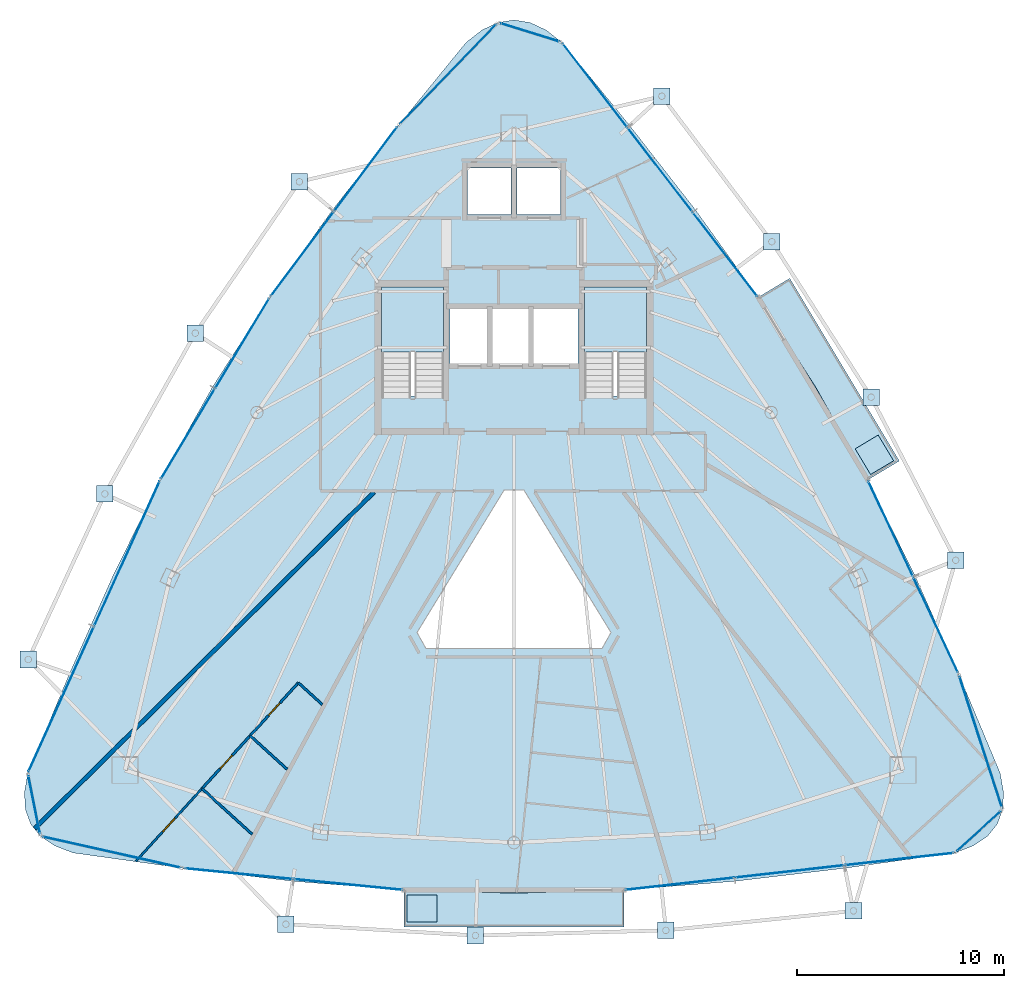
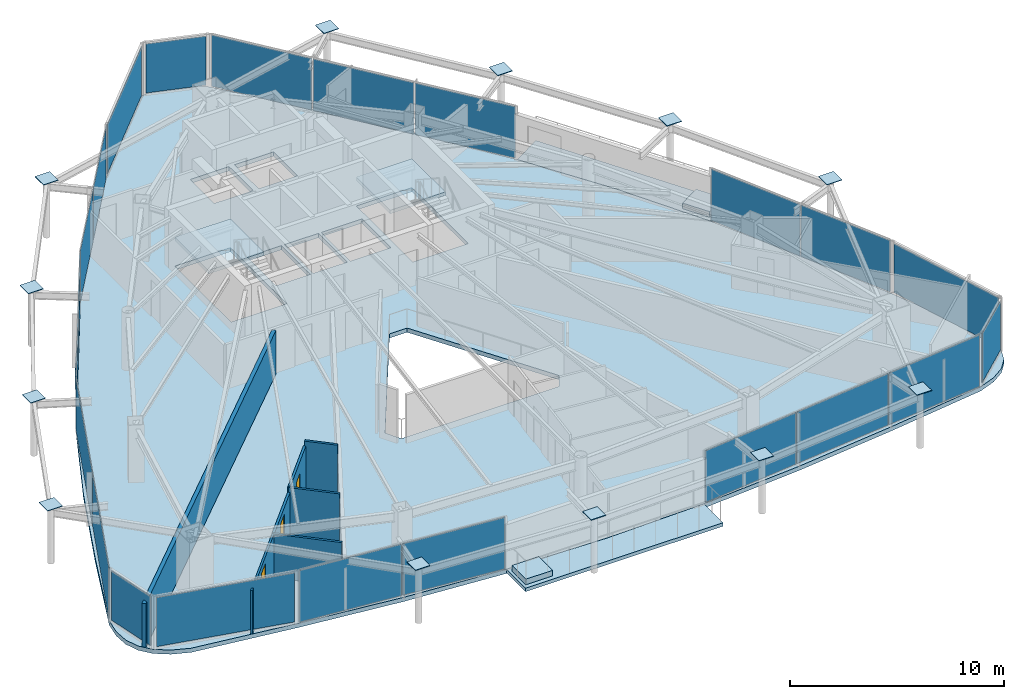
# One storey, part 28 of 34: 34 plates, 7 slabs, 7 walls, 3 doors, 3 openings, 15 elements without a shape of their own.
"""IFC4 building model written with IfcOpenShell, lengths in metres."""

from ifc_helpers import new_model, si_unit, direction, frame, frame_2d, origin, origin_2d, place, context, subcontext, project, spatial, polyline, rectangle, outline, extrude, material, layer, layer_set, type_object, element, fill, aggregate, save


model = new_model("IFC4")

# Units and contexts
model_context = context("Model", 3, precision=1e-05, world=origin(), true_north=direction((0.0, 1.0)))
body_context = subcontext(model_context, "Body", "Model", "MODEL_VIEW")
ifc_project = project(units=[si_unit("LENGTHUNIT", "METRE"), si_unit("AREAUNIT", "SQUARE_METRE"), si_unit("VOLUMEUNIT", "CUBIC_METRE"), si_unit("PLANEANGLEUNIT", "RADIAN"), si_unit("MASSUNIT", "GRAM", prefix="KILO")], contexts=[model_context])

# Site, building, storey
site_placement = place(None, origin())
site = spatial("IfcSite", under=ifc_project, at=site_placement, CompositionType="ELEMENT")
building_placement = place(site_placement, origin())
building = spatial("IfcBuilding", under=site, at=building_placement, Name="Orvanel Arch Residences", CompositionType="ELEMENT")
storey_placement = place(building_placement, frame((0.0, 0.0, 203.0)))
storey = spatial("IfcBuildingStorey", under=building, at=storey_placement, Name="L57", CompositionType="ELEMENT", Elevation=203.0)

# Plates
ifc_material_1 = material(Name="Structural steel AS/NZS 3678 Grade 350", Category="steel")
ifc_layer_1 = layer(ifc_material_1, 0.031982421875)
ifc_layer_set_1 = layer_set([ifc_layer_1], Name="Structural steel AS/NZS 3678 Grade 350")
plate_type_1 = type_object("IfcPlateType", Name="PL-CAP-32", PredefinedType="SHEET", material=ifc_layer_set_1)
for number, where, z_axis, x_axis, name in (
    (1, (22.6240234375, 38.794921875, 3.2841796875), (0.0, 0.0, 1.0), (1.0, 0.0, 0.0), "L57 hollow member end cap plate"),
    (2, (17.593017578125, 31.47509765625, 3.2841796875), (0.0, 0.0, 1.0), (1.0, 0.0, 0.0), "L57 hollow member end cap plate"),
    (3, (13.22412109375, 23.702880859375, 3.2841796875), (0.0, 0.0, 1.0), (1.0, 0.0, 0.0), "L57 hollow member end cap plate"),
    (4, (9.52001953125, 15.700927734375, 3.2841796875), (0.0, 0.0, 1.0), (1.0, 0.0, 0.0), "L57 hollow member end cap plate"),
    (5, (21.97509765625, 2.906005859375, 3.2841796875), (0.0, 0.0, 1.0), (1.0, 0.0, 0.0), "L57 hollow member end cap plate"),
    (6, (31.136962890625, 2.35791015625, 3.2841796875), (0.0, 0.0, 1.0), (1.0, 0.0, 0.0), "L57 hollow member end cap plate"),
    (7, (40.343994140625, 2.60791015625, 3.2841796875), (0.0, 0.0, 1.0), (1.0, 0.0, 0.0), "L57 hollow member end cap plate"),
    (8, (49.410888671875, 3.547119140625, 3.2841796875), (0.0, 0.0, 1.0), (1.0, 0.0, 0.0), "L57 hollow member end cap plate"),
    (9, (54.35205078125, 20.4970703125, 3.2841796875), (0.0, 0.0, 1.0), (1.0, 0.0, 0.0), "L57 hollow member end cap plate"),
    (10, (50.261962890625, 28.382080078125, 3.2841796875), (0.0, 0.0, 1.0), (1.0, 0.0, 0.0), "L57 hollow member end cap plate"),
    (11, (45.462890625, 35.89599609375, 3.2841796875), (0.0, 0.0, 1.0), (1.0, 0.0, 0.0), "L57 hollow member end cap plate"),
    (12, (40.14697265625, 42.930908203125, 3.2841796875), (0.0, 0.0, 1.0), (1.0, 0.0, 0.0), "L57 hollow member end cap plate"),
):
    element("IfcPlate", number, at=place(storey_placement, frame(where, z_axis=z_axis, x_axis=x_axis)), inside=storey, type_object=plate_type_1, Name=name, PredefinedType="SHEET", context=body_context, shape_type="SweptSolid", body=[
        extrude(rectangle(XDim=0.800048828125, YDim=0.800048828125, at=origin_2d()), origin(), (0.0, 0.0, 1.0), 0.031982421875),
    ])

# Curtain wall, plates
ifc_material_2 = material(Name="Bronze-anodised aluminium AA6063-T6", Category="aluminium")
ifc_layer_2 = layer(ifc_material_2, 0.175048828125)
ifc_layer_set_2 = layer_set([ifc_layer_2], Name="Bronze-anodised aluminium AA6063-T6")
curtain_wall_type_1 = type_object("IfcCurtainWallType", Name="CW4-HI-SYS", PredefinedType="NOTDEFINED", material=ifc_layer_set_2)
curtain_wall_1_placement = place(storey_placement, origin())
curtain_wall_1 = element("IfcCurtainWall", 13, at=curtain_wall_1_placement, inside=storey, type_object=curtain_wall_type_1, Name="L57 CW4-HI-SYS Unitised Curtain Wall", PredefinedType="NOTDEFINED")
ifc_material_3 = material(Name="Double-glazed solar-control low-E safety glass", Category="glass")
ifc_layer_3 = layer(ifc_material_3, 0.028076171875)
ifc_layer_set_3 = layer_set([ifc_layer_3], Name="Double-glazed solar-control low-E safety glass")
plate_type_2 = type_object("IfcPlateType", Name="PNL-GLZ-28", PredefinedType="CURTAIN_PANEL", material=ifc_layer_set_3)
plate_1_placement = place(storey_placement, frame((25.83154296875, 39.407958984375, 0.06005859375), z_axis=(0.0, 0.0, 1.0), x_axis=(-0.598944172287, -0.800790783216, 0.0)))
plate_1 = element("IfcPlate", 14, at=plate_1_placement, type_object=plate_type_2, Name="CW-S4 panel 1.1", PredefinedType="CURTAIN_PANEL", context=body_context, shape_type="SweptSolid", body=[
    extrude(rectangle(XDim=5.057373046875, YDim=0.028076171875, at=origin_2d()), origin(), (0.0, 0.0, 1.0), 2.93994140625),
])
plate_2_placement = place(storey_placement, frame((22.763427734375, 35.305908203125, 0.06005859375), z_axis=(0.0, 0.0, 1.0), x_axis=(-0.598944172287, -0.800790783216, 0.0)))
plate_2 = element("IfcPlate", 15, at=plate_2_placement, type_object=plate_type_2, Name="CW-S4 panel 2.1", PredefinedType="CURTAIN_PANEL", context=body_context, shape_type="SweptSolid", body=[
    extrude(rectangle(XDim=5.057373046875, YDim=0.028076171875, at=origin_2d()), origin(), (0.0, 0.0, 1.0), 2.93994140625),
])
aggregate(curtain_wall_1, [plate_1, plate_2])

curtain_wall_2_placement = place(storey_placement, origin())
curtain_wall_2 = element("IfcCurtainWall", 16, at=curtain_wall_2_placement, inside=storey, type_object=curtain_wall_type_1, Name="L57 CW4-HI-SYS Unitised Curtain Wall", PredefinedType="NOTDEFINED")
plate_3_placement = place(storey_placement, frame((19.8603515625, 30.9833984375, 0.06005859375), z_axis=(0.0, 0.0, 1.0), x_axis=(-0.514495755426, -0.857492925713, 0.0)))
plate_3 = element("IfcPlate", 17, at=plate_3_placement, type_object=plate_type_2, Name="CW-S4 panel 1.1", PredefinedType="CURTAIN_PANEL", context=body_context, shape_type="SweptSolid", body=[
    extrude(rectangle(XDim=5.03076171875, YDim=0.028076171875, at=origin_2d()), origin(), (0.0, 0.0, 1.0), 2.93994140625),
])
plate_4_placement = place(storey_placement, frame((17.238525390625, 26.61376953125, 0.06005859375), z_axis=(0.0, 0.0, 1.0), x_axis=(-0.514495755426, -0.857492925713, 0.0)))
plate_4 = element("IfcPlate", 18, at=plate_4_placement, type_object=plate_type_2, Name="CW-S4 panel 2.1", PredefinedType="CURTAIN_PANEL", context=body_context, shape_type="SweptSolid", body=[
    extrude(rectangle(XDim=5.03076171875, YDim=0.028076171875, at=origin_2d()), origin(), (0.0, 0.0, 1.0), 2.93994140625),
])
aggregate(curtain_wall_2, [plate_3, plate_4])

curtain_wall_3_placement = place(storey_placement, origin())
curtain_wall_3 = element("IfcCurtainWall", 19, at=curtain_wall_3_placement, inside=storey, type_object=curtain_wall_type_1, Name="L57 CW4-HI-SYS Unitised Curtain Wall", PredefinedType="NOTDEFINED")
plate_5_placement = place(storey_placement, frame((14.289794921875, 20.81787109375, 0.06005859375), z_axis=(0.0, 0.0, 1.0), x_axis=(-0.41176638777, -0.911289439148, 0.0)))
plate_5 = element("IfcPlate", 20, at=plate_5_placement, type_object=plate_type_2, Name="CW-S4 panel 1.1", PredefinedType="CURTAIN_PANEL", context=body_context, shape_type="SweptSolid", body=[
    extrude(rectangle(XDim=7.656982421875, YDim=0.028076171875, at=origin_2d()), origin(), (0.0, 0.0, 1.0), 2.93994140625),
])
plate_6_placement = place(storey_placement, frame((11.110107421875, 13.781005859375, 0.06005859375), z_axis=(0.0, 0.0, 1.0), x_axis=(-0.41176638777, -0.911289439148, 0.0)))
plate_6 = element("IfcPlate", 21, at=plate_6_placement, type_object=plate_type_2, Name="CW-S4 panel 2.1", PredefinedType="CURTAIN_PANEL", context=body_context, shape_type="SweptSolid", body=[
    extrude(rectangle(XDim=7.656982421875, YDim=0.028076171875, at=origin_2d()), origin(), (0.0, 0.0, 1.0), 2.93994140625),
])
aggregate(curtain_wall_3, [plate_5, plate_6])

curtain_wall_4_placement = place(storey_placement, origin())
curtain_wall_4 = element("IfcCurtainWall", 22, at=curtain_wall_4_placement, inside=storey, type_object=curtain_wall_type_1, Name="L57 CW4-HI-SYS Unitised Curtain Wall", PredefinedType="NOTDEFINED")
plate_7_placement = place(storey_placement, frame((19.704345703125, 5.343017578125, 0.06005859375), z_axis=(0.0, 0.0, 1.0), x_axis=(0.99514517761, -0.098417861591, 0.0)))
plate_7 = element("IfcPlate", 23, at=plate_7_placement, type_object=plate_type_2, Name="CW-S4 panel 1.1", PredefinedType="CURTAIN_PANEL", context=body_context, shape_type="SweptSolid", body=[
    extrude(rectangle(XDim=5.23681640625, YDim=0.028076171875, at=origin_2d()), origin(), (0.0, 0.0, 1.0), 2.93994140625),
])
plate_8_placement = place(storey_placement, frame((24.98046875, 4.821044921875, 0.06005859375), z_axis=(0.0, 0.0, 1.0), x_axis=(0.99514517761, -0.098417861591, 0.0)))
plate_8 = element("IfcPlate", 24, at=plate_8_placement, type_object=plate_type_2, Name="CW-S4 panel 2.1", PredefinedType="CURTAIN_PANEL", context=body_context, shape_type="SweptSolid", body=[
    extrude(rectangle(XDim=5.23681640625, YDim=0.028076171875, at=origin_2d()), origin(), (0.0, 0.0, 1.0), 2.93994140625),
])
aggregate(curtain_wall_4, [plate_7, plate_8])

curtain_wall_5_placement = place(storey_placement, origin())
curtain_wall_5 = element("IfcCurtainWall", 25, at=curtain_wall_5_placement, inside=storey, type_object=curtain_wall_type_1, Name="L57 CW4-HI-SYS Unitised Curtain Wall", PredefinedType="NOTDEFINED")
plate_9_placement = place(storey_placement, frame((41.022705078125, 4.85791015625, 0.06005859375), z_axis=(0.0, 0.0, 1.0), x_axis=(0.993730796907, 0.111799388547, 0.0)))
plate_9 = element("IfcPlate", 26, at=plate_9_placement, type_object=plate_type_2, Name="CW-S4 panel 1.1", PredefinedType="CURTAIN_PANEL", context=body_context, shape_type="SweptSolid", body=[
    extrude(rectangle(XDim=5.25146484375, YDim=0.028076171875, at=origin_2d()), origin(), (0.0, 0.0, 1.0), 2.93994140625),
])
plate_10_placement = place(storey_placement, frame((46.322021484375, 5.4541015625, 0.06005859375), z_axis=(0.0, 0.0, 1.0), x_axis=(0.993730796907, 0.111799388547, 0.0)))
plate_10 = element("IfcPlate", 27, at=plate_10_placement, type_object=plate_type_2, Name="CW-S4 panel 2.1", PredefinedType="CURTAIN_PANEL", context=body_context, shape_type="SweptSolid", body=[
    extrude(rectangle(XDim=5.283935546875, YDim=0.028076171875, at=origin_2d()), origin(), (0.0, 0.0, 1.0), 2.93994140625),
])
plate_11_placement = place(storey_placement, frame((51.62109375, 6.05029296875, 0.06005859375), z_axis=(0.0, 0.0, 1.0), x_axis=(0.993730796907, 0.111799388547, 0.0)))
plate_11 = element("IfcPlate", 28, at=plate_11_placement, type_object=plate_type_2, Name="CW-S4 panel 3.1", PredefinedType="CURTAIN_PANEL", context=body_context, shape_type="SweptSolid", body=[
    extrude(rectangle(XDim=5.25146484375, YDim=0.028076171875, at=origin_2d()), origin(), (0.0, 0.0, 1.0), 2.93994140625),
])
aggregate(curtain_wall_5, [plate_9, plate_10, plate_11])

curtain_wall_6_placement = place(storey_placement, origin())
curtain_wall_6 = element("IfcCurtainWall", 29, at=curtain_wall_6_placement, inside=storey, type_object=curtain_wall_type_1, Name="L57 CW4-HI-SYS Unitised Curtain Wall", PredefinedType="NOTDEFINED")
plate_12_placement = place(storey_placement, frame((53.3828125, 17.378662109375, 0.06005859375), z_axis=(0.0, 0.0, 1.0), x_axis=(-0.424493509228, 0.905430980596, 0.0)))
plate_12 = element("IfcPlate", 30, at=plate_12_placement, type_object=plate_type_2, Name="CW-S4 panel 1.1", PredefinedType="CURTAIN_PANEL", context=body_context, shape_type="SweptSolid", body=[
    extrude(rectangle(XDim=5.05810546875, YDim=0.028076171875, at=origin_2d()), origin(), (0.0, 0.0, 1.0), 2.93994140625),
])
plate_13_placement = place(storey_placement, frame((51.208251953125, 22.017333984375, 0.06005859375), z_axis=(0.0, 0.0, 1.0), x_axis=(-0.424493509228, 0.905430980596, 0.0)))
plate_13 = element("IfcPlate", 31, at=plate_13_placement, type_object=plate_type_2, Name="CW-S4 panel 2.1", PredefinedType="CURTAIN_PANEL", context=body_context, shape_type="SweptSolid", body=[
    extrude(rectangle(XDim=5.05810546875, YDim=0.028076171875, at=origin_2d()), origin(), (0.0, 0.0, 1.0), 2.93994140625),
])
aggregate(curtain_wall_6, [plate_12, plate_13])

curtain_wall_7_placement = place(storey_placement, origin())
curtain_wall_7 = element("IfcCurtainWall", 32, at=curtain_wall_7_placement, inside=storey, type_object=curtain_wall_type_1, Name="L57 CW4-HI-SYS Unitised Curtain Wall", PredefinedType="NOTDEFINED")
plate_14_placement = place(storey_placement, frame((43.203125, 35.289794921875, 0.06005859375), z_axis=(0.0, 0.0, 1.0), x_axis=(-0.610134485069, 0.792297867049, 0.0)))
plate_14 = element("IfcPlate", 33, at=plate_14_placement, type_object=plate_type_2, Name="CW-S4 panel 1.1", PredefinedType="CURTAIN_PANEL", context=body_context, shape_type="SweptSolid", body=[
    extrude(rectangle(XDim=5.07177734375, YDim=0.028076171875, at=origin_2d()), origin(), (0.0, 0.0, 1.0), 2.93994140625),
])
plate_15_placement = place(storey_placement, frame((40.05908203125, 39.37255859375, 0.06005859375), z_axis=(0.0, 0.0, 1.0), x_axis=(-0.610134485069, 0.792297867049, 0.0)))
plate_15 = element("IfcPlate", 34, at=plate_15_placement, type_object=plate_type_2, Name="CW-S4 panel 2.1", PredefinedType="CURTAIN_PANEL", context=body_context, shape_type="SweptSolid", body=[
    extrude(rectangle(XDim=5.104248046875, YDim=0.028076171875, at=origin_2d()), origin(), (0.0, 0.0, 1.0), 2.93994140625),
])
plate_16_placement = place(storey_placement, frame((36.914794921875, 43.455322265625, 0.06005859375), z_axis=(0.0, 0.0, 1.0), x_axis=(-0.610134485069, 0.792297867049, 0.0)))
plate_16 = element("IfcPlate", 35, at=plate_16_placement, type_object=plate_type_2, Name="CW-S4 panel 3.1", PredefinedType="CURTAIN_PANEL", context=body_context, shape_type="SweptSolid", body=[
    extrude(rectangle(XDim=5.07177734375, YDim=0.028076171875, at=origin_2d()), origin(), (0.0, 0.0, 1.0), 2.93994140625),
])
aggregate(curtain_wall_7, [plate_14, plate_15, plate_16])

# Curtain wall, plate
ifc_layer_4 = layer(ifc_material_2, 0.18994140625)
ifc_layer_set_4 = layer_set([ifc_layer_4], Name="Bronze-anodised aluminium AA6063-T6")
curtain_wall_type_2 = type_object("IfcCurtainWallType", Name="CW5-CRN-SYS", PredefinedType="NOTDEFINED", material=ifc_layer_set_4)
curtain_wall_8_placement = place(storey_placement, origin())
curtain_wall_8 = element("IfcCurtainWall", 36, at=curtain_wall_8_placement, inside=storey, type_object=curtain_wall_type_2, Name="L57 CW5-CRN-SYS Unitised Curtain Wall", PredefinedType="NOTDEFINED")
ifc_layer_5 = layer(ifc_material_3, 0.031982421875)
ifc_layer_set_5 = layer_set([ifc_layer_5], Name="Double-glazed solar-control low-E safety glass")
plate_type_3 = type_object("IfcPlateType", Name="PNL-GLZ-32", PredefinedType="CURTAIN_PANEL", material=ifc_layer_set_5)
plate_17_placement = place(storey_placement, frame((33.77197265625, 46.012451171875, 0.1298828125), z_axis=(0.0, 0.0, 1.0), x_axis=(-0.954846908843, 0.297098267705, 0.0)))
plate_17 = element("IfcPlate", 37, at=plate_17_placement, type_object=plate_type_3, Name="CW-S5 panel 1.1", PredefinedType="CURTAIN_PANEL", context=body_context, shape_type="SweptSolid", body=[
    extrude(rectangle(XDim=2.894287109375, YDim=0.031982421875, at=origin_2d()), origin(), (0.0, 0.0, 1.0), 2.800048828125),
])
aggregate(curtain_wall_8, [plate_17])

curtain_wall_9_placement = place(storey_placement, origin())
curtain_wall_9 = element("IfcCurtainWall", 38, at=curtain_wall_9_placement, inside=storey, type_object=curtain_wall_type_2, Name="L57 CW5-CRN-SYS Unitised Curtain Wall", PredefinedType="NOTDEFINED")
plate_18_placement = place(storey_placement, frame((29.8125, 43.9970703125, 0.1298828125), z_axis=(0.0, 0.0, 1.0), x_axis=(-0.695356310733, -0.718665152295, 0.0)))
plate_18 = element("IfcPlate", 39, at=plate_18_placement, type_object=plate_type_3, Name="CW-S5 panel 1.1", PredefinedType="CURTAIN_PANEL", context=body_context, shape_type="SweptSolid", body=[
    extrude(rectangle(XDim=6.607177734375, YDim=0.031982421875, at=origin_2d()), origin(), (0.0, 0.0, 1.0), 2.800048828125),
])
aggregate(curtain_wall_9, [plate_18])

curtain_wall_10_placement = place(storey_placement, origin())
curtain_wall_10 = element("IfcCurtainWall", 40, at=curtain_wall_10_placement, inside=storey, type_object=curtain_wall_type_2, Name="L57 CW5-CRN-SYS Unitised Curtain Wall", PredefinedType="NOTDEFINED")
plate_19_placement = place(storey_placement, frame((9.803466796875, 8.6875, 0.1298828125), z_axis=(0.0, 0.0, 1.0), x_axis=(0.195490565454, -0.980705582129, 0.0)))
plate_19 = element("IfcPlate", 41, at=plate_19_placement, type_object=plate_type_3, Name="CW-S5 panel 1.1", PredefinedType="CURTAIN_PANEL", context=body_context, shape_type="SweptSolid", body=[
    extrude(rectangle(XDim=2.7744140625, YDim=0.031982421875, at=origin_2d()), origin(), (0.0, 0.0, 1.0), 2.800048828125),
])
aggregate(curtain_wall_10, [plate_19])

curtain_wall_11_placement = place(storey_placement, origin())
curtain_wall_11 = element("IfcCurtainWall", 42, at=curtain_wall_11_placement, inside=storey, type_object=curtain_wall_type_2, Name="L57 CW5-CRN-SYS Unitised Curtain Wall", PredefinedType="NOTDEFINED")
plate_20_placement = place(storey_placement, frame((13.56103515625, 6.384521484375, 0.1298828125), z_axis=(0.0, 0.0, 1.0), x_axis=(0.975666023426, -0.219261968278, 0.0)))
plate_20 = element("IfcPlate", 43, at=plate_20_placement, type_object=plate_type_3, Name="CW-S5 panel 1.1", PredefinedType="CURTAIN_PANEL", context=body_context, shape_type="SweptSolid", body=[
    extrude(rectangle(XDim=6.7373046875, YDim=0.031982421875, at=origin_2d()), origin(), (0.0, 0.0, 1.0), 2.800048828125),
])
aggregate(curtain_wall_11, [plate_20])

curtain_wall_12_placement = place(storey_placement, origin())
curtain_wall_12 = element("IfcCurtainWall", 44, at=curtain_wall_12_placement, inside=storey, type_object=curtain_wall_type_2, Name="L57 CW5-CRN-SYS Unitised Curtain Wall", PredefinedType="NOTDEFINED")
plate_21_placement = place(storey_placement, frame((55.468017578125, 7.39990234375, 0.1298828125), z_axis=(0.0, 0.0, 1.0), x_axis=(0.740116617889, 0.672478543839, 0.0)))
plate_21 = element("IfcPlate", 45, at=plate_21_placement, type_object=plate_type_3, Name="CW-S5 panel 1.1", PredefinedType="CURTAIN_PANEL", context=body_context, shape_type="SweptSolid", body=[
    extrude(rectangle(XDim=2.775146484375, YDim=0.031982421875, at=origin_2d()), origin(), (0.0, 0.0, 1.0), 2.800048828125),
])
aggregate(curtain_wall_12, [plate_21])

curtain_wall_13_placement = place(storey_placement, origin())
curtain_wall_13 = element("IfcCurtainWall", 46, at=curtain_wall_13_placement, inside=storey, type_object=curtain_wall_type_2, Name="L57 CW5-CRN-SYS Unitised Curtain Wall", PredefinedType="NOTDEFINED")
plate_22_placement = place(storey_placement, frame((55.556396484375, 11.7294921875, 0.1298828125), z_axis=(0.0, 0.0, 1.0), x_axis=(-0.308522517622, 0.951217039439, 0.0)))
plate_22 = element("IfcPlate", 47, at=plate_22_placement, type_object=plate_type_3, Name="CW-S5 panel 1.1", PredefinedType="CURTAIN_PANEL", context=body_context, shape_type="SweptSolid", body=[
    extrude(rectangle(XDim=6.561767578125, YDim=0.031982421875, at=origin_2d()), origin(), (0.0, 0.0, 1.0), 2.800048828125),
])
aggregate(curtain_wall_13, [plate_22])

# Slabs
ifc_material_4 = material(Name="Concrete N40 (40 MPa)", Category="concrete")
ifc_layer_6 = layer(ifc_material_4, 0.199951171875)
ifc_layer_set_6 = layer_set([ifc_layer_6], Name="Concrete N40 (40 MPa)")
slab_type_1 = type_object("IfcSlabType", Name="SLB-BAL-200", PredefinedType="FLOOR", material=ifc_layer_set_6)
slab_1_placement = place(storey_placement, frame((0.0, 0.0, -0.199951171875)))
element("IfcSlab", 48, at=slab_1_placement, inside=storey, type_object=slab_type_1, Name="L57 Cantilevered Balcony Slab Face 2", PredefinedType="FLOOR", context=body_context, shape_type="SweptSolid", body=[
    extrude(outline(polyline([(27.6708984375, 2.77490234375), (38.3291015625, 2.77490234375), (38.3291015625, 4.554931640625), (33.0, 4.406982421875), (27.6708984375, 4.554931640625), (27.6708984375, 2.77490234375)])), origin(), (0.0, 0.0, 1.0), 0.199951171875),
])
slab_2_placement = place(storey_placement, frame((0.0, 0.0, -0.199951171875)))
element("IfcSlab", 49, at=slab_2_placement, inside=storey, type_object=slab_type_1, Name="L57 Cantilevered Balcony Slab Face 3", PredefinedType="FLOOR", context=body_context, shape_type="SweptSolid", body=[
    extrude(outline(polyline([(51.625, 25.299072265625), (46.3291015625, 34.12890625), (44.802001953125, 33.212890625), (47.577880859375, 28.8740234375), (50.09912109375, 24.384033203125), (51.625, 25.299072265625)])), origin(), (0.0, 0.0, 1.0), 0.199951171875),
])

# Stair, slab
ifc_material_5 = material(Name="Precast concrete N50 (50 MPa)", Category="concrete")
stair_type = type_object("IfcStairType", Name="STR-DOG-184", PredefinedType="USERDEFINED", material=ifc_material_5)
stair_1_placement = place(storey_placement, origin())
stair_1 = element("IfcStair", 50, at=stair_1_placement, inside=storey, type_object=stair_type, Name="L57 Fire-Isolated Core Exit Stair 1", ObjectType="TWO_RETURN_STAIR", PredefinedType="USERDEFINED")
ifc_layer_7 = layer(ifc_material_4, 0.199951171875)
ifc_layer_set_7 = layer_set([ifc_layer_7], Name="Concrete N40 (40 MPa)")
slab_type_2 = type_object("IfcSlabType", Name="SLB-LND-200", PredefinedType="LANDING", material=ifc_layer_set_7)
slab_3_placement = place(storey_placement, frame((0.0, 0.0, 1.449951171875)))
slab_3 = element("IfcSlab", 51, at=slab_3_placement, type_object=slab_type_2, Name="ST-1 landing 1", PredefinedType="LANDING", context=body_context, shape_type="SweptSolid", body=[
    extrude(outline(polyline([(29.60009765625, 30.56005859375), (29.60009765625, 33.699951171875), (26.60009765625, 33.699951171875), (26.60009765625, 30.56005859375), (29.60009765625, 30.56005859375)])), origin(), (0.0, 0.0, 1.0), 0.199951171875),
])
aggregate(stair_1, [slab_3])

stair_2_placement = place(storey_placement, origin())
stair_2 = element("IfcStair", 52, at=stair_2_placement, inside=storey, type_object=stair_type, Name="L57 Fire-Isolated Core Exit Stair 2", ObjectType="TWO_RETURN_STAIR", PredefinedType="USERDEFINED")
slab_4_placement = place(storey_placement, frame((0.0, 0.0, 1.449951171875)))
slab_4 = element("IfcSlab", 53, at=slab_4_placement, type_object=slab_type_2, Name="ST-2 landing 1", PredefinedType="LANDING", context=body_context, shape_type="SweptSolid", body=[
    extrude(outline(polyline([(39.39990234375, 30.56005859375), (39.39990234375, 33.699951171875), (36.39990234375, 33.699951171875), (36.39990234375, 30.56005859375), (39.39990234375, 30.56005859375)])), origin(), (0.0, 0.0, 1.0), 0.199951171875),
])
aggregate(stair_2, [slab_4])

# Slabs
ifc_material_6 = material(Name="Structural architectural precast concrete N40 (40 MPa) planter", Category="concrete")
ifc_layer_8 = layer(ifc_material_6, 0.320068359375)
ifc_layer_set_8 = layer_set([ifc_layer_8], Name="Structural architectural precast concrete N40 (40 MPa) planter")
slab_type_3 = type_object("IfcSlabType", Name="SLB-PLN-320", PredefinedType="USERDEFINED", material=ifc_layer_set_8)
slab_5_placement = place(storey_placement, origin())
element("IfcSlab", 54, at=slab_5_placement, inside=storey, type_object=slab_type_3, Name="L57 Balcony TREE PLANTER Face 2", ObjectType="PLANTER", PredefinedType="USERDEFINED", context=body_context, shape_type="SweptSolid", body=[
    extrude(outline(polyline([(27.821044921875, 3.0048828125), (29.27099609375, 3.0048828125), (29.27099609375, 4.304931640625), (27.821044921875, 4.304931640625), (27.821044921875, 3.0048828125)])), origin(), (0.0, 0.0, 1.0), 0.320068359375),
])
slab_6_placement = place(storey_placement, origin())
element("IfcSlab", 55, at=slab_6_placement, inside=storey, type_object=slab_type_3, Name="L57 Balcony TREE PLANTER Face 3", ObjectType="PLANTER", PredefinedType="USERDEFINED", context=body_context, shape_type="SweptSolid", body=[
    extrude(outline(polyline([(51.35107421875, 25.30908203125), (50.60498046875, 26.552978515625), (49.489990234375, 25.884033203125), (50.236083984375, 24.64111328125), (51.35107421875, 25.30908203125)])), origin(), (0.0, 0.0, 1.0), 0.320068359375),
])
ifc_layer_9 = layer(ifc_material_4, 0.239990234375)
ifc_layer_set_9 = layer_set([ifc_layer_9], Name="Concrete N40 (40 MPa)")
slab_type_4 = type_object("IfcSlabType", Name="SLB-TYP-240", PredefinedType="FLOOR", material=ifc_layer_set_9)
slab_7_placement = place(storey_placement, frame((0.0, 0.0, -0.239990234375)))
element("IfcSlab", 56, at=slab_7_placement, inside=storey, type_object=slab_type_4, Name="L57 Tower Floor Slab", PredefinedType="FLOOR", context=body_context, shape_type="SweptSolid", body=[
    extrude(outline(polyline([(35.31591796875, 45.531982421875), (34.5439453125, 46.133056640625), (33.77197265625, 46.492919921875), (33.0, 46.614013671875), (32.22802734375, 46.492919921875), (31.4560546875, 46.133056640625), (30.68408203125, 45.531982421875), (27.39697265625, 41.5009765625), (24.20703125, 37.410888671875), (21.197998046875, 33.212890625), (18.422119140625, 28.8740234375), (15.90087890625, 24.384033203125), (13.614990234375, 19.751953125), (11.508056640625, 15.011962890625), (9.4990234375, 10.215087890625), (9.3330078125, 9.27099609375), (9.37890625, 8.447021484375), (9.636962890625, 7.742919921875), (10.10791015625, 7.159912109375), (10.7900390625, 6.696044921875), (11.68505859375, 6.35302734375), (17.013916015625, 5.60888671875), (22.343017578125, 4.97705078125), (27.6708984375, 4.554931640625), (33.0, 4.406982421875), (38.3291015625, 4.554931640625), (43.656982421875, 4.97705078125), (48.986083984375, 5.60888671875), (54.31494140625, 6.35302734375), (55.2099609375, 6.696044921875), (55.89208984375, 7.159912109375), (56.363037109375, 7.742919921875), (56.62109375, 8.447021484375), (56.6669921875, 9.27099609375), (56.5009765625, 10.215087890625), (54.491943359375, 15.011962890625), (52.385009765625, 19.751953125), (50.09912109375, 24.384033203125), (47.577880859375, 28.8740234375), (44.802001953125, 33.212890625), (41.7919921875, 37.410888671875), (38.60302734375, 41.5009765625), (35.31591796875, 45.531982421875)]), holes=[polyline([(26.60009765625, 28.429931640625), (26.60009765625, 33.699951171875), (29.60009765625, 33.699951171875), (29.60009765625, 28.429931640625), (26.60009765625, 28.429931640625)]), polyline([(36.39990234375, 28.429931640625), (36.39990234375, 33.699951171875), (39.39990234375, 33.699951171875), (39.39990234375, 28.429931640625), (36.39990234375, 28.429931640625)]), polyline([(29.89990234375, 32.64990234375), (31.75, 32.64990234375), (31.75, 29.949951171875), (29.89990234375, 29.949951171875), (29.89990234375, 32.64990234375)]), polyline([(31.89990234375, 32.64990234375), (33.75, 32.64990234375), (33.75, 29.949951171875), (31.89990234375, 29.949951171875), (31.89990234375, 32.64990234375)]), polyline([(33.89990234375, 32.64990234375), (36.10009765625, 32.64990234375), (36.10009765625, 29.949951171875), (33.89990234375, 29.949951171875), (33.89990234375, 32.64990234375)]), polyline([(30.75, 39.449951171875), (32.85009765625, 39.449951171875), (32.85009765625, 37.199951171875), (30.75, 37.199951171875), (30.75, 39.449951171875)]), polyline([(33.14990234375, 39.449951171875), (35.25, 39.449951171875), (35.25, 37.199951171875), (33.14990234375, 37.199951171875), (33.14990234375, 39.449951171875)]), polyline([(37.68798828125, 17.006103515625), (37.2529296875, 16.22802734375), (28.7470703125, 16.22802734375), (28.31201171875, 17.006103515625), (32.52490234375, 23.89794921875), (33.47509765625, 23.89794921875), (37.68798828125, 17.006103515625)])]), origin(), (0.0, 0.0, 1.0), 0.239990234375),
])

# Wall
ifc_material_7 = material(Name="Fire-rated plasterboard lined steel stud partition", Category="steel")
ifc_layer_10 = layer(ifc_material_7, 0.199951171875)
ifc_layer_set_10 = layer_set([ifc_layer_10], Name="Fire-rated plasterboard lined steel stud partition")
wall_type_1 = type_object("IfcWallType", Name="W-DEM-200", PredefinedType="PARTITIONING", material=ifc_layer_set_10)
wall_1_placement = place(storey_placement, frame((26.23095703125, 23.7900390625, 0.0), z_axis=(0.0, 0.0, 1.0), x_axis=(-0.710239236144, -0.703960387693, 0.0)))
element("IfcWall", 57, at=wall_1_placement, inside=storey, type_object=wall_type_1, Name="L57 Inter-Tenancy Acoustic Demising Wall", PredefinedType="PARTITIONING", context=body_context, shape_type="SweptSolid", body=[
    extrude(rectangle(XDim=23.096435546875, YDim=0.199951171875, at=frame_2d((11.54833984375, 0.0))), origin(), (0.0, 0.0, 1.0), 2.491943359375),
])

# Wall, opening, door
ifc_material_8 = material(Name="Acoustic plasterboard lined twin-stud partition", Category="gypsum")
ifc_layer_11 = layer(ifc_material_8, 0.10009765625)
ifc_layer_set_11 = layer_set([ifc_layer_11], Name="Acoustic plasterboard lined twin-stud partition")
wall_type_2 = type_object("IfcWallType", Name="W-INT-100", PredefinedType="PARTITIONING", material=ifc_layer_set_11)
wall_2_placement = place(storey_placement, frame((17.9169921875, 9.4609375, 0.0), z_axis=(0.0, 0.0, 1.0), x_axis=(-0.673104266943, -0.739547595374, 0.0)))
wall_2 = element("IfcWall", 58, at=wall_2_placement, inside=storey, type_object=wall_type_2, Name="L57 Flat E Internal Partition", PredefinedType="PARTITIONING", context=body_context, shape_type="SweptSolid", body=[
    extrude(rectangle(XDim=4.75830078125, YDim=0.10009765625, at=frame_2d((2.379150390625, 0.0))), origin(), (0.0, 0.0, 1.0), 2.491943359375),
])
opening_1_placement = place(wall_2_placement, frame((1.93896484375, 0.0, 0.0)))
opening_1 = element("IfcOpeningElement", 59, at=opening_1_placement, cuts=wall_2, Name="Opening DI-088", PredefinedType="OPENING", context=body_context, shape_type="SweptSolid", body=[
    extrude(rectangle(XDim=0.8798828125, YDim=2.10009765625, at=frame_2d((0.43994140625, 1.050048828125))), frame((0.0, 0.06005859375, 0.0), z_axis=(0.0, -1.0, 0.0), x_axis=(1.0, 0.0, 0.0)), (0.0, 0.0, 1.0), 0.1201171875),
])
ifc_material_9 = material(Name="Solid-core European oak veneer fire door leaf", Category="wood")
door_type_1 = type_object("IfcDoorType", Name="DR-INT-880", OperationType="NOTDEFINED", PredefinedType="DOOR", material=ifc_material_9)
door_1_placement = place(opening_1_placement, origin())
door_1 = element("IfcDoor", 60, at=door_1_placement, inside=storey, type_object=door_type_1, Name="DR-L57-E-BED1 L57 Flat E Bedroom 1 Door", OperationType="SINGLE_SWING_LEFT", OverallHeight=2.10009765625, OverallWidth=0.8798828125, PredefinedType="DOOR", context=body_context, shape_type="SweptSolid", body=[
    extrude(rectangle(XDim=0.8798828125, YDim=2.10009765625, at=frame_2d((0.43994140625, 1.050048828125))), frame((0.0, 0.02490234375, 0.0), z_axis=(0.0, -1.0, 0.0), x_axis=(1.0, 0.0, 0.0)), (0.0, 0.0, 1.0), 0.050048828125),
])
fill(opening_1, door_1)

# Wall
ifc_layer_12 = layer(ifc_material_8, 0.1201171875)
ifc_layer_set_12 = layer_set([ifc_layer_12], Name="Acoustic plasterboard lined twin-stud partition")
wall_type_3 = type_object("IfcWallType", Name="W-WET-120", PredefinedType="PARTITIONING", material=ifc_layer_set_12)
wall_3_placement = place(storey_placement, frame((23.736083984375, 13.51904296875, 0.0), z_axis=(0.0, 0.0, 1.0), x_axis=(-0.739215251716, 0.673469235846, 0.0)))
element("IfcWall", 61, at=wall_3_placement, inside=storey, type_object=wall_type_3, Name="L57 Flat E Bathroom Partition", PredefinedType="PARTITIONING", context=body_context, shape_type="SweptSolid", body=[
    extrude(rectangle(XDim=1.57080078125, YDim=0.1201171875, at=frame_2d((0.785400390625, 0.0))), origin(), (0.0, 0.0, 1.0), 3.06005859375),
])

# Wall, opening, door
wall_4_placement = place(storey_placement, frame((22.574951171875, 14.576904296875, 0.0), z_axis=(0.0, 0.0, 1.0), x_axis=(-0.673231148277, -0.739432093563, 0.0)))
wall_4 = element("IfcWall", 62, at=wall_4_placement, inside=storey, type_object=wall_type_3, Name="L57 Flat E Bathroom Partition", PredefinedType="PARTITIONING", context=body_context, shape_type="SweptSolid", body=[
    extrude(rectangle(XDim=3.459228515625, YDim=0.1201171875, at=frame_2d((1.7294921875, 0.0))), origin(), (0.0, 0.0, 1.0), 2.77294921875),
])
opening_2_placement = place(wall_4_placement, frame((1.320068359375, 0.0, 0.0)))
opening_2 = element("IfcOpeningElement", 63, at=opening_2_placement, cuts=wall_4, Name="Opening DW-082", PredefinedType="OPENING", context=body_context, shape_type="SweptSolid", body=[
    extrude(rectangle(XDim=0.820068359375, YDim=2.10009765625, at=frame_2d((0.41015625, 1.050048828125))), frame((0.0, 0.070068359375, 0.0), z_axis=(0.0, -1.0, 0.0), x_axis=(1.0, 0.0, 0.0)), (0.0, 0.0, 1.0), 0.14013671875),
])
door_type_2 = type_object("IfcDoorType", Name="DR-WET-820", OperationType="NOTDEFINED", PredefinedType="DOOR", material=ifc_material_9)
door_2_placement = place(opening_2_placement, origin())
door_2 = element("IfcDoor", 64, at=door_2_placement, inside=storey, type_object=door_type_2, Name="DR-L57-E-BATH L57 Flat E Bathroom Door", OperationType="SINGLE_SWING_RIGHT", OverallHeight=2.10009765625, OverallWidth=0.820068359375, PredefinedType="DOOR", context=body_context, shape_type="SweptSolid", body=[
    extrude(rectangle(XDim=0.820068359375, YDim=2.10009765625, at=frame_2d((0.41015625, 1.050048828125))), frame((0.0, 0.02490234375, 0.0), z_axis=(0.0, -1.0, 0.0), x_axis=(1.0, 0.0, 0.0)), (0.0, 0.0, 1.0), 0.050048828125),
])
fill(opening_2, door_2)

wall_5_placement = place(storey_placement, frame((20.24609375, 12.01904296875, 0.0), z_axis=(0.0, 0.0, 1.0), x_axis=(-0.673234602732, -0.739428948368, 0.0)))
wall_5 = element("IfcWall", 65, at=wall_5_placement, inside=storey, type_object=wall_type_3, Name="L57 Flat E Internal Partition", PredefinedType="PARTITIONING", context=body_context, shape_type="SweptSolid", body=[
    extrude(rectangle(XDim=3.45947265625, YDim=0.1201171875, at=frame_2d((1.729736328125, 0.0))), origin(), (0.0, 0.0, 1.0), 2.491943359375),
])
opening_3_placement = place(wall_5_placement, frame((1.2900390625, 0.0, 0.0)))
opening_3 = element("IfcOpeningElement", 66, at=opening_3_placement, cuts=wall_5, Name="Opening DI-088", PredefinedType="OPENING", context=body_context, shape_type="SweptSolid", body=[
    extrude(rectangle(XDim=0.8798828125, YDim=2.10009765625, at=frame_2d((0.43994140625, 1.050048828125))), frame((0.0, 0.070068359375, 0.0), z_axis=(0.0, -1.0, 0.0), x_axis=(1.0, 0.0, 0.0)), (0.0, 0.0, 1.0), 0.14013671875),
])
door_3_placement = place(opening_3_placement, origin())
door_3 = element("IfcDoor", 67, at=door_3_placement, inside=storey, type_object=door_type_1, Name="DR-L57-E-KIT L57 Flat E Kitchen Door", OperationType="SINGLE_SWING_LEFT", OverallHeight=2.10009765625, OverallWidth=0.8798828125, PredefinedType="DOOR", context=body_context, shape_type="SweptSolid", body=[
    extrude(rectangle(XDim=0.8798828125, YDim=2.10009765625, at=frame_2d((0.43994140625, 1.050048828125))), frame((0.0, 0.02490234375, 0.0), z_axis=(0.0, -1.0, 0.0), x_axis=(1.0, 0.0, 0.0)), (0.0, 0.0, 1.0), 0.050048828125),
])
fill(opening_3, door_3)

# Walls
wall_6_placement = place(storey_placement, frame((22.04296875, 10.383056640625, 0.0), z_axis=(0.0, 0.0, 1.0), x_axis=(-0.739435258465, 0.673227672143, 0.0)))
element("IfcWall", 68, at=wall_6_placement, inside=storey, type_object=wall_type_3, Name="L57 Flat E Bathroom Partition", PredefinedType="PARTITIONING", context=body_context, shape_type="SweptSolid", body=[
    extrude(rectangle(XDim=2.43017578125, YDim=0.1201171875, at=frame_2d((1.215087890625, 0.0))), origin(), (0.0, 0.0, 1.0), 2.77294921875),
])
wall_7_placement = place(storey_placement, frame((20.35009765625, 7.24609375, 0.0), z_axis=(0.0, 0.0, 1.0), x_axis=(-0.739496715577, 0.673160164932, 0.0)))
element("IfcWall", 69, at=wall_7_placement, inside=storey, type_object=wall_type_3, Name="L57 Flat E Internal Partition", PredefinedType="PARTITIONING", context=body_context, shape_type="SweptSolid", body=[
    extrude(rectangle(XDim=3.290283203125, YDim=0.1201171875, at=frame_2d((1.64501953125, 0.0))), origin(), (0.0, 0.0, 1.0), 2.491943359375),
])

save(model, "model.ifc")
